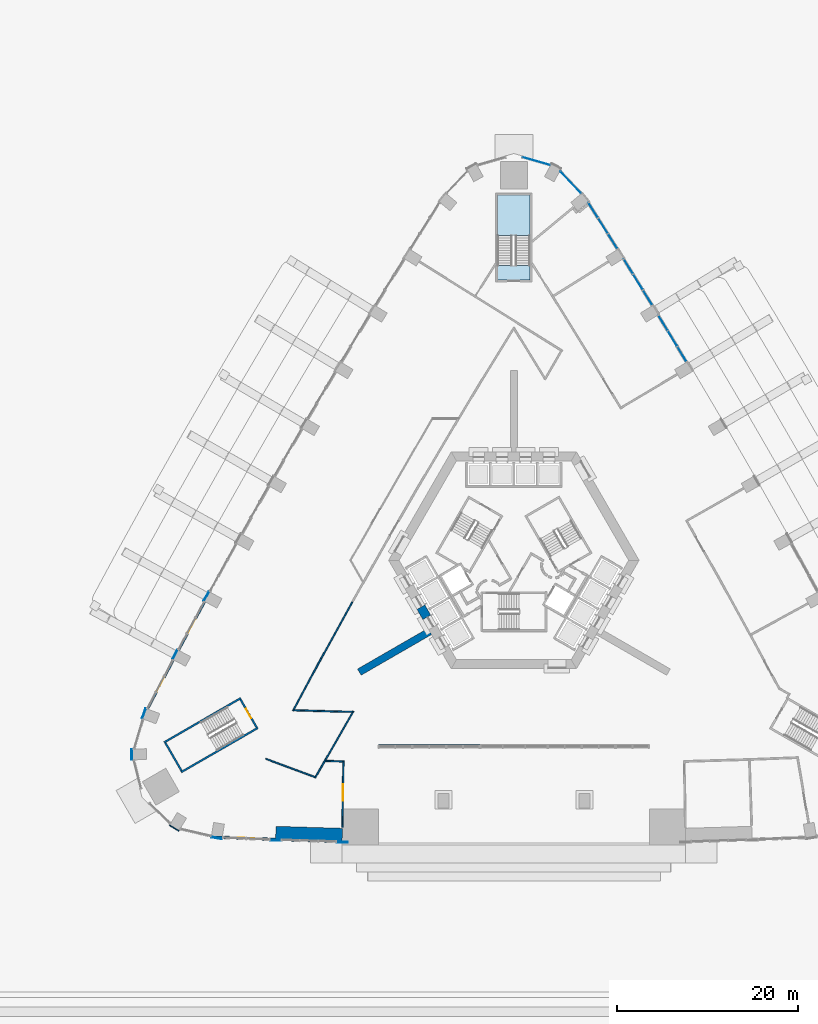
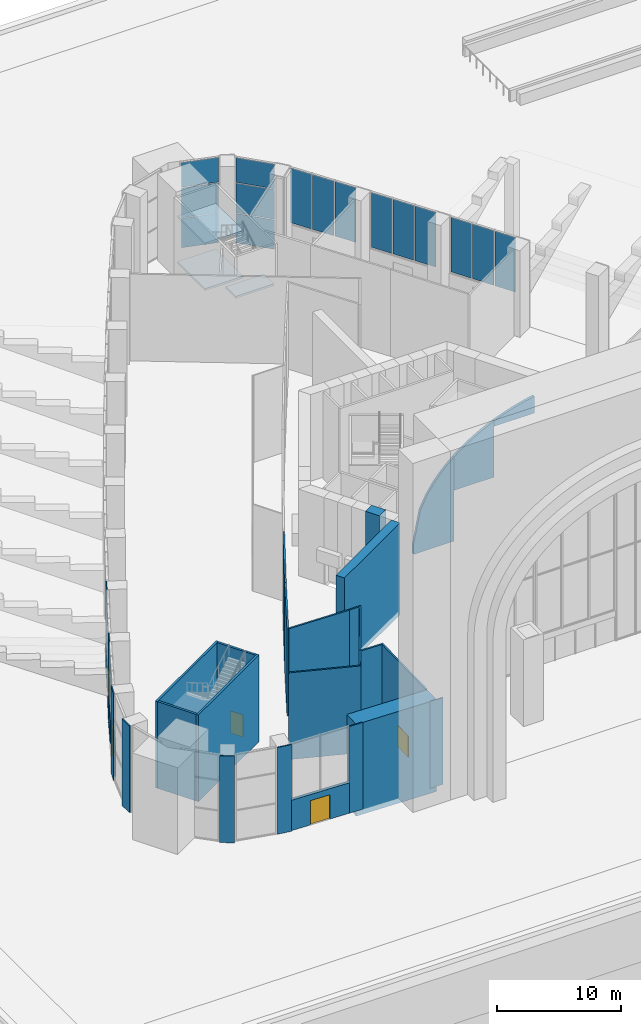
# One storey, part 14 of 36: 30 walls, 15 plates, 5 doors, 3 slabs, 5 openings, 6 elements without a shape of their own.
"""IFC4 building model written with IfcOpenShell, lengths in metres."""

from ifc_helpers import new_model, si_unit, direction, frame, frame_2d, origin, origin_2d, place, context, subcontext, project, spatial, polyline, rectangle, outline, extrude, material, layer, layer_set, type_object, element, fill, aggregate, save


model = new_model("IFC4")

# Units and contexts
model_context = context("Model", 3, precision=1e-05, world=origin(), true_north=direction((0.0, 1.0)))
body_context = subcontext(model_context, "Body", "Model", "MODEL_VIEW")
ifc_project = project(units=[si_unit("LENGTHUNIT", "METRE"), si_unit("AREAUNIT", "SQUARE_METRE"), si_unit("VOLUMEUNIT", "CUBIC_METRE"), si_unit("PLANEANGLEUNIT", "RADIAN"), si_unit("MASSUNIT", "GRAM", prefix="KILO")], contexts=[model_context])

# Site, building, storey
site_placement = place(None, origin())
site = spatial("IfcSite", under=ifc_project, at=site_placement, CompositionType="ELEMENT")
building_placement = place(site_placement, origin())
building = spatial("IfcBuilding", under=site, at=building_placement, Name="Entoto Arch Interchange Tower", CompositionType="ELEMENT")
storey_placement = place(building_placement, origin())
storey = spatial("IfcBuildingStorey", under=building, at=storey_placement, Name="L00", CompositionType="ELEMENT", Elevation=0.0)

# Stair, slabs
ifc_material_1 = material(Name="Concrete C40/50", Category="concrete")
stair_type = type_object("IfcStairType", Name="PODIUM EXIT STAIR RC 1600", PredefinedType="HALF_TURN_STAIR", material=ifc_material_1)
stair_placement = place(storey_placement, origin())
stair = element("IfcStair", 1, at=stair_placement, inside=storey, type_object=stair_type, Name="L00 Podium exit stair north", PredefinedType="HALF_TURN_STAIR")
ifc_layer_1 = layer(ifc_material_1, 0.199951171875)
ifc_layer_set_1 = layer_set([ifc_layer_1], Name="Concrete C40/50")
slab_type = type_object("IfcSlabType", Name="EXIT STAIR LANDING RC 200", PredefinedType="LANDING", material=ifc_layer_set_1)
slab_1_placement = place(storey_placement, frame((0.0, 0.0, 2.050048828125)))
slab_1 = element("IfcSlab", 2, at=slab_1_placement, type_object=slab_type, Name="PST-N landing 1", PredefinedType="LANDING", context=body_context, shape_type="SweptSolid", body=[
    extrude(outline(polyline([(1.800048828125, 38.4599609375), (1.800048828125, 42.89990234375), (-1.800048828125, 42.89990234375), (-1.800048828125, 38.4599609375), (1.800048828125, 38.4599609375)])), origin(), (0.0, 0.0, 1.0), 0.199951171875),
])
slab_2_placement = place(storey_placement, frame((0.0, 0.0, 4.300048828125)))
slab_2 = element("IfcSlab", 3, at=slab_2_placement, type_object=slab_type, Name="PST-N landing 2", PredefinedType="LANDING", context=body_context, shape_type="SweptSolid", body=[
    extrude(outline(polyline([(1.800048828125, 33.5), (1.800048828125, 35.10009765625), (-1.800048828125, 35.10009765625), (-1.800048828125, 33.5), (1.800048828125, 33.5)])), origin(), (0.0, 0.0, 1.0), 0.199951171875),
])
slab_3_placement = place(storey_placement, frame((0.0, 0.0, 6.550048828125)))
slab_3 = element("IfcSlab", 4, at=slab_3_placement, type_object=slab_type, Name="PST-N landing 3", PredefinedType="LANDING", context=body_context, shape_type="SweptSolid", body=[
    extrude(outline(polyline([(1.800048828125, 38.4599609375), (1.800048828125, 42.89990234375), (-1.800048828125, 42.89990234375), (-1.800048828125, 38.4599609375), (1.800048828125, 38.4599609375)])), origin(), (0.0, 0.0, 1.0), 0.199951171875),
])
aggregate(stair, [slab_1, slab_2, slab_3])

# Curtain wall, plates
ifc_material_2 = material(Name="Aluminium, anodised", Category="aluminium")
curtain_wall_type = type_object("IfcCurtainWallType", Name="CURTAIN WALL GATE HALL", PredefinedType="NOTDEFINED", material=ifc_material_2)
curtain_wall_1_placement = place(storey_placement, origin())
curtain_wall_1 = element("IfcCurtainWall", 5, at=curtain_wall_1_placement, inside=storey, type_object=curtain_wall_type, Name="Gate Hall glazing NE-07 L00", PredefinedType="NOTDEFINED")
ifc_material_3 = material(Name="Clear glass, low-e double glazed", Category="glass")
ifc_layer_2 = layer(ifc_material_3, 0.030029296875)
ifc_layer_set_2 = layer_set([ifc_layer_2], Name="Clear glass, low-e double glazed")
plate_type = type_object("IfcPlateType", Name="GLAZING PANEL GATE HALL 30", PredefinedType="CURTAIN_PANEL", material=ifc_layer_set_2)
plate_1_placement = place(storey_placement, frame((18.59716796875, 25.314453125, 3.080078125), z_axis=(0.0, 0.0, 1.0), x_axis=(-0.516681494958, 0.856177687614, 0.0)))
plate_1 = element("IfcPlate", 6, at=plate_1_placement, type_object=plate_type, Name="CWG panel 1.1", PredefinedType="CURTAIN_PANEL", context=body_context, shape_type="SweptSolid", body=[
    extrude(rectangle(XDim=1.889404296875, YDim=0.030029296875, at=origin_2d()), origin(), (0.0, 0.0, 1.0), 5.389892578125),
])
plate_2_placement = place(storey_placement, frame((17.556396484375, 27.0390625, 3.080078125), z_axis=(0.0, 0.0, 1.0), x_axis=(-0.516681494958, 0.856177687614, 0.0)))
plate_2 = element("IfcPlate", 7, at=plate_2_placement, type_object=plate_type, Name="CWG panel 2.1", PredefinedType="CURTAIN_PANEL", context=body_context, shape_type="SweptSolid", body=[
    extrude(rectangle(XDim=1.939208984375, YDim=0.030029296875, at=origin_2d()), origin(), (0.0, 0.0, 1.0), 5.389892578125),
])
plate_3_placement = place(storey_placement, frame((16.515869140625, 28.763671875, 3.080078125), z_axis=(0.0, 0.0, 1.0), x_axis=(-0.516681494958, 0.856177687614, 0.0)))
plate_3 = element("IfcPlate", 8, at=plate_3_placement, type_object=plate_type, Name="CWG panel 3.1", PredefinedType="CURTAIN_PANEL", context=body_context, shape_type="SweptSolid", body=[
    extrude(rectangle(XDim=1.889404296875, YDim=0.030029296875, at=origin_2d()), origin(), (0.0, 0.0, 1.0), 5.389892578125),
])
aggregate(curtain_wall_1, [plate_1, plate_2, plate_3])

curtain_wall_2_placement = place(storey_placement, origin())
curtain_wall_2 = element("IfcCurtainWall", 9, at=curtain_wall_2_placement, inside=storey, type_object=curtain_wall_type, Name="Gate Hall glazing NE-08 L00", PredefinedType="NOTDEFINED")
plate_4_placement = place(storey_placement, frame((14.802490234375, 31.57421875, 3.080078125), z_axis=(0.0, 0.0, 1.0), x_axis=(-0.525009091339, 0.851096618494, 0.0)))
plate_4 = element("IfcPlate", 10, at=plate_4_placement, type_object=plate_type, Name="CWG panel 1.1", PredefinedType="CURTAIN_PANEL", context=body_context, shape_type="SweptSolid", body=[
    extrude(rectangle(XDim=1.889404296875, YDim=0.030029296875, at=origin_2d()), origin(), (0.0, 0.0, 1.0), 5.389892578125),
])
plate_5_placement = place(storey_placement, frame((13.7451171875, 33.28857421875, 3.080078125), z_axis=(0.0, 0.0, 1.0), x_axis=(-0.525009091339, 0.851096618494, 0.0)))
plate_5 = element("IfcPlate", 11, at=plate_5_placement, type_object=plate_type, Name="CWG panel 2.1", PredefinedType="CURTAIN_PANEL", context=body_context, shape_type="SweptSolid", body=[
    extrude(rectangle(XDim=1.939208984375, YDim=0.030029296875, at=origin_2d()), origin(), (0.0, 0.0, 1.0), 5.389892578125),
])
plate_6_placement = place(storey_placement, frame((12.6875, 35.0029296875, 3.080078125), z_axis=(0.0, 0.0, 1.0), x_axis=(-0.525009091339, 0.851096618494, 0.0)))
plate_6 = element("IfcPlate", 12, at=plate_6_placement, type_object=plate_type, Name="CWG panel 3.1", PredefinedType="CURTAIN_PANEL", context=body_context, shape_type="SweptSolid", body=[
    extrude(rectangle(XDim=1.889404296875, YDim=0.030029296875, at=origin_2d()), origin(), (0.0, 0.0, 1.0), 5.389892578125),
])
aggregate(curtain_wall_2, [plate_4, plate_5, plate_6])

curtain_wall_3_placement = place(storey_placement, origin())
curtain_wall_3 = element("IfcCurtainWall", 13, at=curtain_wall_3_placement, inside=storey, type_object=curtain_wall_type, Name="Gate Hall glazing NE-09 L00", PredefinedType="NOTDEFINED")
plate_7_placement = place(storey_placement, frame((10.943115234375, 37.802001953125, 3.080078125), z_axis=(0.0, 0.0, 1.0), x_axis=(-0.533247908708, 0.845959022564, 0.0)))
plate_7 = element("IfcPlate", 14, at=plate_7_placement, type_object=plate_type, Name="CWG panel 1.1", PredefinedType="CURTAIN_PANEL", context=body_context, shape_type="SweptSolid", body=[
    extrude(rectangle(XDim=1.904052734375, YDim=0.030029296875, at=origin_2d()), origin(), (0.0, 0.0, 1.0), 5.389892578125),
])
plate_8_placement = place(storey_placement, frame((9.861083984375, 39.5185546875, 3.080078125), z_axis=(0.0, 0.0, 1.0), x_axis=(-0.533247908708, 0.845959022564, 0.0)))
plate_8 = element("IfcPlate", 15, at=plate_8_placement, type_object=plate_type, Name="CWG panel 2.1", PredefinedType="CURTAIN_PANEL", context=body_context, shape_type="SweptSolid", body=[
    extrude(rectangle(XDim=1.9541015625, YDim=0.030029296875, at=origin_2d()), origin(), (0.0, 0.0, 1.0), 5.389892578125),
])
plate_9_placement = place(storey_placement, frame((8.779052734375, 41.235107421875, 3.080078125), z_axis=(0.0, 0.0, 1.0), x_axis=(-0.533247908708, 0.845959022564, 0.0)))
plate_9 = element("IfcPlate", 16, at=plate_9_placement, type_object=plate_type, Name="CWG panel 3.1", PredefinedType="CURTAIN_PANEL", context=body_context, shape_type="SweptSolid", body=[
    extrude(rectangle(XDim=1.904052734375, YDim=0.030029296875, at=origin_2d()), origin(), (0.0, 0.0, 1.0), 5.389892578125),
])
aggregate(curtain_wall_3, [plate_7, plate_8, plate_9])

curtain_wall_4_placement = place(storey_placement, origin())
curtain_wall_4 = element("IfcCurtainWall", 17, at=curtain_wall_4_placement, inside=storey, type_object=curtain_wall_type, Name="Gate Hall glazing N-01 L00", PredefinedType="NOTDEFINED")
plate_10_placement = place(storey_placement, frame((6.291015625, 44.3349609375, 0.080078125), z_axis=(0.0, 0.0, 1.0), x_axis=(-0.686928321201, 0.726725176069, 0.0)))
plate_10 = element("IfcPlate", 18, at=plate_10_placement, type_object=plate_type, Name="CWG panel 1.1", PredefinedType="CURTAIN_PANEL", context=body_context, shape_type="SweptSolid", body=[
    extrude(rectangle(XDim=3.267578125, YDim=0.030029296875, at=origin_2d()), origin(), (0.0, 0.0, 1.0), 2.8798828125),
])
plate_11_placement = place(storey_placement, frame((6.291015625, 44.3349609375, 3.0400390625), z_axis=(0.0, 0.0, 1.0), x_axis=(-0.686928321201, 0.726725176069, 0.0)))
plate_11 = element("IfcPlate", 19, at=plate_11_placement, type_object=plate_type, Name="CWG panel 1.2", PredefinedType="CURTAIN_PANEL", context=body_context, shape_type="SweptSolid", body=[
    extrude(rectangle(XDim=3.267578125, YDim=0.030029296875, at=origin_2d()), origin(), (0.0, 0.0, 1.0), 2.919921875),
])
plate_12_placement = place(storey_placement, frame((6.291015625, 44.3349609375, 6.0400390625), z_axis=(0.0, 0.0, 1.0), x_axis=(-0.686928321201, 0.726725176069, 0.0)))
plate_12 = element("IfcPlate", 20, at=plate_12_placement, type_object=plate_type, Name="CWG panel 1.3", PredefinedType="CURTAIN_PANEL", context=body_context, shape_type="SweptSolid", body=[
    extrude(rectangle(XDim=3.267578125, YDim=0.030029296875, at=origin_2d()), origin(), (0.0, 0.0, 1.0), 2.429931640625),
])
aggregate(curtain_wall_4, [plate_10, plate_11, plate_12])

curtain_wall_5_placement = place(storey_placement, origin())
curtain_wall_5 = element("IfcCurtainWall", 21, at=curtain_wall_5_placement, inside=storey, type_object=curtain_wall_type, Name="Gate Hall glazing N-02 L00", PredefinedType="NOTDEFINED")
plate_13_placement = place(storey_placement, frame((2.486572265625, 46.676025390625, 0.080078125), z_axis=(0.0, 0.0, 1.0), x_axis=(-0.961934452437, 0.273280275934, 0.0)))
plate_13 = element("IfcPlate", 22, at=plate_13_placement, type_object=plate_type, Name="CWG panel 1.1", PredefinedType="CURTAIN_PANEL", context=body_context, shape_type="SweptSolid", body=[
    extrude(rectangle(XDim=3.1005859375, YDim=0.030029296875, at=origin_2d()), origin(), (0.0, 0.0, 1.0), 2.8798828125),
])
plate_14_placement = place(storey_placement, frame((2.486572265625, 46.676025390625, 3.0400390625), z_axis=(0.0, 0.0, 1.0), x_axis=(-0.961934452437, 0.273280275934, 0.0)))
plate_14 = element("IfcPlate", 23, at=plate_14_placement, type_object=plate_type, Name="CWG panel 1.2", PredefinedType="CURTAIN_PANEL", context=body_context, shape_type="SweptSolid", body=[
    extrude(rectangle(XDim=3.1005859375, YDim=0.030029296875, at=origin_2d()), origin(), (0.0, 0.0, 1.0), 2.919921875),
])
plate_15_placement = place(storey_placement, frame((2.486572265625, 46.676025390625, 6.0400390625), z_axis=(0.0, 0.0, 1.0), x_axis=(-0.961934452437, 0.273280275934, 0.0)))
plate_15 = element("IfcPlate", 24, at=plate_15_placement, type_object=plate_type, Name="CWG panel 1.3", PredefinedType="CURTAIN_PANEL", context=body_context, shape_type="SweptSolid", body=[
    extrude(rectangle(XDim=3.1005859375, YDim=0.030029296875, at=origin_2d()), origin(), (0.0, 0.0, 1.0), 2.429931640625),
])
aggregate(curtain_wall_5, [plate_13, plate_14, plate_15])

# Walls
ifc_material_4 = material(Name="Concrete C60/75", Category="concrete")
ifc_layer_3 = layer(ifc_material_4, 1.60009765625)
ifc_layer_set_3 = layer_set([ifc_layer_3], Name="Concrete C60/75")
wall_type_1 = type_object("IfcWallType", Name="Arch leg wall 1600 C60/75", PredefinedType="SHEAR", material=ifc_layer_set_3)
wall_1_placement = place(storey_placement, frame((0.0, 0.0, -0.5)))
element("IfcWall", 25, at=wall_1_placement, inside=storey, type_object=wall_type_1, Name="Arch leg W L00", PredefinedType="SHEAR", context=body_context, shape_type="SweptSolid", body=[
    extrude(outline(polyline([(-26.376953125, -28.5400390625), (-19.0, -28.761962890625), (-18.97607421875, -27.162109375), (-26.321044921875, -26.94091796875), (-26.376953125, -28.5400390625)])), origin(), (0.0, 0.0, 1.0), 9.050048828125),
])
ifc_layer_4 = layer(ifc_material_4, 0.800048828125)
ifc_layer_set_4 = layer_set([ifc_layer_4], Name="Concrete C60/75")
wall_type_2 = type_object("IfcWallType", Name="Buttress wall 800 C60/75", PredefinedType="SHEAR", material=ifc_layer_set_4)
wall_2_placement = place(storey_placement, frame((-9.31005859375, -5.375, -0.5), z_axis=(0.0, 0.0, 1.0), x_axis=(-0.866017533419, -0.500013631625, 0.0)))
element("IfcWall", 26, at=wall_2_placement, inside=storey, type_object=wall_type_2, Name="Buttress wall SW L00", PredefinedType="SHEAR", context=body_context, shape_type="SweptSolid", body=[
    extrude(rectangle(XDim=8.999755859375, YDim=0.800048828125, at=frame_2d((4.5, 0.0))), origin(), (0.0, 0.0, 1.0), 9.050048828125),
])
ifc_layer_5 = layer(ifc_material_4, 1.0)
ifc_layer_set_5 = layer_set([ifc_layer_5], Name="Concrete C60/75")
wall_type_3 = type_object("IfcWallType", Name="Core wall 1000 C60/75", PredefinedType="SHEAR", material=ifc_layer_set_5)
wall_3_placement = place(storey_placement, frame((0.0, 0.0, -0.5)))
element("IfcWall", 27, at=wall_3_placement, inside=storey, type_object=wall_type_3, Name="Core wall SW L00", PredefinedType="SHEAR", context=body_context, shape_type="SweptSolid", body=[
    extrude(outline(polyline([(-10.06689453125, -4.06298828125), (-9.200927734375, -3.56298828125), (-9.85107421875, -2.43701171875), (-10.717041015625, -2.93701171875), (-10.06689453125, -4.06298828125)])), origin(), (0.0, 0.0, 1.0), 9.050048828125),
])
ifc_material_5 = material(Name="Gypsum board partition on steel studs", Category="steel")
ifc_layer_6 = layer(ifc_material_5, 0.14990234375)
ifc_layer_set_6 = layer_set([ifc_layer_6], Name="Gypsum board partition on steel studs")
wall_type_4 = type_object("IfcWallType", Name="PARTITION 150", PredefinedType="PARTITIONING", material=ifc_layer_set_6)
wall_4_placement = place(storey_placement, frame((-20.881103515625, -19.635009765625, 0.0), z_axis=(0.0, 0.0, 1.0), x_axis=(-0.50001262068, -0.866018117109, 0.0)))
element("IfcWall", 28, at=wall_4_placement, inside=storey, type_object=wall_type_4, Name="wall:L00:p035", PredefinedType="PARTITIONING", context=body_context, shape_type="SweptSolid", body=[
    extrude(rectangle(XDim=2.087890625, YDim=0.14990234375, at=frame_2d((1.0439453125, 0.0))), origin(), (0.0, 0.0, 1.0), 8.550048828125),
])
wall_5_placement = place(storey_placement, frame((-21.89208984375, -21.533935546875, 0.0), z_axis=(0.0, 0.0, 1.0), x_axis=(-0.937429874282, 0.348174138619, 0.0)))
element("IfcWall", 29, at=wall_5_placement, inside=storey, type_object=wall_type_4, Name="wall:L00:p036", PredefinedType="PARTITIONING", context=body_context, shape_type="SweptSolid", body=[
    extrude(rectangle(XDim=5.936279296875, YDim=0.14990234375, at=frame_2d((2.96826171875, 0.0))), origin(), (0.0, 0.0, 1.0), 8.550048828125),
])
wall_6_placement = place(storey_placement, frame((-17.875, -2.116943359375, 0.0), z_axis=(0.0, 0.0, 1.0), x_axis=(-0.483160940006, -0.875531556286, 0.0)))
element("IfcWall", 30, at=wall_6_placement, inside=storey, type_object=wall_type_4, Name="wall:L00:p042", PredefinedType="PARTITIONING", context=body_context, shape_type="SweptSolid", body=[
    extrude(rectangle(XDim=7.1796875, YDim=0.14990234375, at=frame_2d((3.58984375, 0.0))), origin(), (0.0, 0.0, 1.0), 8.550048828125),
])
wall_7_placement = place(storey_placement, frame((-21.343994140625, -8.403076171875, 0.0), z_axis=(0.0, 0.0, 1.0), x_axis=(-0.474656303591, -0.880171229626, 0.0)))
element("IfcWall", 31, at=wall_7_placement, inside=storey, type_object=wall_type_4, Name="wall:L00:p043", PredefinedType="PARTITIONING", context=body_context, shape_type="SweptSolid", body=[
    extrude(rectangle(XDim=6.53955078125, YDim=0.14990234375, at=frame_2d((3.269775390625, 0.0))), origin(), (0.0, 0.0, 1.0), 8.550048828125),
])
wall_8_placement = place(storey_placement, frame((-24.3369140625, -14.094970703125, 0.0), z_axis=(0.0, 0.0, 1.0), x_axis=(0.999548445021, -0.030048395218, 0.0)))
element("IfcWall", 32, at=wall_8_placement, inside=storey, type_object=wall_type_4, Name="wall:L00:p044", PredefinedType="PARTITIONING", context=body_context, shape_type="SweptSolid", body=[
    extrude(rectangle(XDim=5.557373046875, YDim=0.14990234375, at=frame_2d((2.77880859375, 0.0))), origin(), (0.0, 0.0, 1.0), 8.550048828125),
])
wall_9_placement = place(storey_placement, frame((-18.781982421875, -14.261962890625, 0.0), z_axis=(0.0, 0.0, 1.0), x_axis=(1.0, 0.0, 0.0)))
element("IfcWall", 33, at=wall_9_placement, inside=storey, type_object=wall_type_4, Name="wall:L00:p045", PredefinedType="PARTITIONING", context=body_context, shape_type="SweptSolid", body=[
    extrude(rectangle(XDim=0.926025390625, YDim=0.14990234375, at=frame_2d((0.462890625, 0.0))), origin(), (0.0, 0.0, 1.0), 8.550048828125),
])
wall_10_placement = place(storey_placement, frame((-17.743896484375, -14.197021484375, 0.0), z_axis=(0.0, 0.0, 1.0), x_axis=(-0.499711231596, -0.866192060121, 0.0)))
element("IfcWall", 34, at=wall_10_placement, inside=storey, type_object=wall_type_4, Name="wall:L00:p046", PredefinedType="PARTITIONING", context=body_context, shape_type="SweptSolid", body=[
    extrude(rectangle(XDim=6.278076171875, YDim=0.14990234375, at=frame_2d((3.13916015625, 0.0))), origin(), (0.0, 0.0, 1.0), 8.550048828125),
])
wall_11_placement = place(storey_placement, frame((-20.843994140625, -19.701904296875, 0.0), z_axis=(0.0, 0.0, 1.0), x_axis=(0.999534689479, -0.030502533158, 0.0)))
element("IfcWall", 35, at=wall_11_placement, inside=storey, type_object=wall_type_4, Name="wall:L00:p047", PredefinedType="PARTITIONING", context=body_context, shape_type="SweptSolid", body=[
    extrude(rectangle(XDim=1.905029296875, YDim=0.14990234375, at=frame_2d((0.95263671875, 0.0))), origin(), (0.0, 0.0, 1.0), 8.550048828125),
])

# Wall, opening, door
wall_12_placement = place(storey_placement, frame((-18.864013671875, -19.68701171875, 0.0), z_axis=(0.0, 0.0, 1.0), x_axis=(-0.015101510801, -0.999885965684, 0.0)))
wall_12 = element("IfcWall", 36, at=wall_12_placement, inside=storey, type_object=wall_type_4, Name="wall:L00:p048", PredefinedType="PARTITIONING", context=body_context, shape_type="SweptSolid", body=[
    extrude(rectangle(XDim=7.355712890625, YDim=0.14990234375, at=frame_2d((3.677734375, 0.0))), origin(), (0.0, 0.0, 1.0), 8.550048828125),
])
opening_1_placement = place(wall_12_placement, frame((2.60009765625, 0.0, 0.0)))
opening_1 = element("IfcOpeningElement", 37, at=opening_1_placement, cuts=wall_12, Name="Opening L00-D01", PredefinedType="OPENING", context=body_context, shape_type="SweptSolid", body=[
    extrude(rectangle(XDim=1.800048828125, YDim=2.10009765625, at=frame_2d((0.89990234375, 1.050048828125))), frame((0.0, 0.0849609375, 0.0), z_axis=(0.0, -1.0, 0.0), x_axis=(1.0, 0.0, 0.0)), (0.0, 0.0, 1.0), 0.169921875),
])
ifc_material_6 = material(Name="Timber door leaf in Steel S235 frame", Category="steel")
door_type_1 = type_object("IfcDoorType", Name="DOOR DD-18 1800x2100", OperationType="DOUBLE_DOOR_SINGLE_SWING", PredefinedType="DOOR", material=ifc_material_6)
door_1_placement = place(opening_1_placement, origin())
door_1 = element("IfcDoor", 38, at=door_1_placement, inside=storey, type_object=door_type_1, Name="door:L00:01", OperationType="DOUBLE_DOOR_SINGLE_SWING", OverallHeight=2.10009765625, OverallWidth=1.800048828125, PredefinedType="DOOR", context=body_context, shape_type="SweptSolid", body=[
    extrude(rectangle(XDim=1.800048828125, YDim=2.10009765625, at=frame_2d((0.89990234375, 1.050048828125))), frame((0.0, 0.02490234375, 0.0), z_axis=(0.0, -1.0, 0.0), x_axis=(1.0, 0.0, 0.0)), (0.0, 0.0, 1.0), 0.050048828125),
])
fill(opening_1, door_1)

# Walls
ifc_layer_7 = layer(ifc_material_1, 0.199951171875)
ifc_layer_set_7 = layer_set([ifc_layer_7], Name="Concrete C40/50")
wall_type_5 = type_object("IfcWallType", Name="STAIR ENCLOSURE WALL 200", PredefinedType="STANDARD", material=ifc_layer_set_7)
for number, where, z_axis, x_axis, name in (
    (39, (-30.221923828125, -12.7548828125, 0.0), (0.0, 0.0, 1.0), (-0.866019227021, -0.500010698315, 0.0), "Stair wall PST-SW left"),
    (40, (-28.322021484375, -16.044921875, 0.0), (0.0, 0.0, 1.0), (-0.866019227021, -0.500010698315, 0.0), "Stair wall PST-SW right"),
):
    element("IfcWall", number, at=place(storey_placement, frame(where, z_axis=z_axis, x_axis=x_axis)), inside=storey, type_object=wall_type_5, Name=name, PredefinedType="STANDARD", context=body_context, shape_type="SweptSolid", body=[
        extrude(rectangle(XDim=9.800048828125, YDim=0.199951171875, at=frame_2d((4.89990234375, 0.0))), origin(), (0.0, 0.0, 1.0), 8.550048828125),
    ])

# Wall, opening, door
wall_13_placement = place(storey_placement, frame((-30.258056640625, -12.89111328125, 0.0), z_axis=(0.0, 0.0, 1.0), x_axis=(0.499982693035, -0.866035395735, 0.0)))
wall_13 = element("IfcWall", 41, at=wall_13_placement, inside=storey, type_object=wall_type_5, Name="Stair wall PST-SW near", PredefinedType="STANDARD", context=body_context, shape_type="SweptSolid", body=[
    extrude(rectangle(XDim=3.600341796875, YDim=0.199951171875, at=frame_2d((1.80029296875, 0.0))), origin(), (0.0, 0.0, 1.0), 8.550048828125),
])
opening_2_placement = place(wall_13_placement, frame((1.199951171875, 0.0, 0.0)))
opening_2 = element("IfcOpeningElement", 42, at=opening_2_placement, cuts=wall_13, Name="Opening SD-PST-SW-L00", PredefinedType="OPENING", context=body_context, shape_type="SweptSolid", body=[
    extrude(rectangle(XDim=1.199951171875, YDim=2.199951171875, at=frame_2d((0.60009765625, 1.10009765625))), frame((0.0, 0.10986328125, 0.0), z_axis=(0.0, -1.0, 0.0), x_axis=(1.0, 0.0, 0.0)), (0.0, 0.0, 1.0), 0.219970703125),
])
ifc_material_7 = material(Name="Steel S235", Category="steel")
door_type_2 = type_object("IfcDoorType", Name="STAIR DOOR SD2 1200x2200", OperationType="SINGLE_SWING_LEFT", PredefinedType="DOOR", material=ifc_material_7)
door_2_placement = place(opening_2_placement, origin())
door_2 = element("IfcDoor", 43, at=door_2_placement, inside=storey, type_object=door_type_2, Name="Stair door PST-SW L00", OperationType="SINGLE_SWING_LEFT", OverallHeight=2.199951171875, OverallWidth=1.199951171875, PredefinedType="DOOR", context=body_context, shape_type="SweptSolid", body=[
    extrude(rectangle(XDim=1.199951171875, YDim=2.199951171875, at=frame_2d((0.60009765625, 1.10009765625))), frame((0.0, 0.02490234375, 0.0), z_axis=(0.0, -1.0, 0.0), x_axis=(1.0, 0.0, 0.0)), (0.0, 0.0, 1.0), 0.050048828125),
])
fill(opening_2, door_2)

# Wall
wall_14_placement = place(storey_placement, frame((-38.572021484375, -17.69091796875, 0.0), z_axis=(0.0, 0.0, 1.0), x_axis=(0.49995333141, -0.866052346231, 0.0)))
element("IfcWall", 44, at=wall_14_placement, inside=storey, type_object=wall_type_5, Name="Stair wall PST-SW far", PredefinedType="STANDARD", context=body_context, shape_type="SweptSolid", body=[
    extrude(rectangle(XDim=3.600341796875, YDim=0.199951171875, at=frame_2d((1.80029296875, 0.0))), origin(), (0.0, 0.0, 1.0), 8.550048828125),
])

# Wall, opening, door
ifc_material_8 = material(Name="Welded tuff (ignimbrite) cladding, warm buff", Category="masonry")
ifc_layer_8 = layer(ifc_material_8, 0.300048828125)
ifc_layer_set_8 = layer_set([ifc_layer_8], Name="Welded tuff (ignimbrite) cladding, warm buff")
wall_type_6 = type_object("IfcWallType", Name="STONE INFILL WALL 300", PredefinedType="STANDARD", material=ifc_layer_set_8)
wall_15_placement = place(storey_placement, frame((-26.3701171875, -28.389892578125, 0.0), z_axis=(0.0, 0.0, 1.0), x_axis=(-0.999234642094, 0.039116876654, 0.0)))
wall_15 = element("IfcWall", 45, at=wall_15_placement, inside=storey, type_object=wall_type_6, Name="Entrance wall S-01 L00", PredefinedType="STANDARD", context=body_context, shape_type="SweptSolid", body=[
    extrude(rectangle(XDim=6.541015625, YDim=0.300048828125, at=frame_2d((3.2705078125, 0.0))), origin(), (0.0, 0.0, 1.0), 3.0),
])
opening_3_placement = place(wall_15_placement, frame((2.37109375, 0.0, 0.0)))
opening_3 = element("IfcOpeningElement", 46, at=opening_3_placement, cuts=wall_15, Name="Opening DX-S-01", PredefinedType="OPENING", context=body_context, shape_type="SweptSolid", body=[
    extrude(rectangle(XDim=1.800048828125, YDim=2.39990234375, at=frame_2d((0.89990234375, 1.199951171875))), frame((0.0, 0.16015625, 0.0), z_axis=(0.0, -1.0, 0.0), x_axis=(1.0, 0.0, 0.0)), (0.0, 0.0, 1.0), 0.320068359375),
])
ifc_material_9 = material(Name="Aluminium and clear glass, anodised", Category="aluminium")
door_type_3 = type_object("IfcDoorType", Name="EXIT DOOR DX 1800x2400", OperationType="DOUBLE_DOOR_SINGLE_SWING", PredefinedType="DOOR", material=ifc_material_9)
door_3_placement = place(opening_3_placement, origin())
door_3 = element("IfcDoor", 47, at=door_3_placement, inside=storey, type_object=door_type_3, Name="Exit door S-01", OperationType="DOUBLE_DOOR_SINGLE_SWING", OverallHeight=2.39990234375, OverallWidth=1.800048828125, PredefinedType="DOOR", context=body_context, shape_type="SweptSolid", body=[
    extrude(rectangle(XDim=1.800048828125, YDim=2.39990234375, at=frame_2d((0.89990234375, 1.199951171875))), frame((0.0, 0.02490234375, 0.0), z_axis=(0.0, -1.0, 0.0), x_axis=(1.0, 0.0, 0.0)), (0.0, 0.0, 1.0), 0.050048828125),
])
fill(opening_3, door_3)

wall_16_placement = place(storey_placement, frame((-37.416015625, -7.97509765625, 0.0), z_axis=(0.0, 0.0, 1.0), x_axis=(0.474642442052, 0.880178704698, 0.0)))
wall_16 = element("IfcWall", 48, at=wall_16_placement, inside=storey, type_object=wall_type_6, Name="Entrance wall NW-08 L00", PredefinedType="STANDARD", context=body_context, shape_type="SweptSolid", body=[
    extrude(rectangle(XDim=7.323486328125, YDim=0.300048828125, at=frame_2d((3.66162109375, 0.0))), origin(), (0.0, 0.0, 1.0), 3.0),
])
opening_4_placement = place(wall_16_placement, frame((2.761962890625, 0.0, 0.0)))
opening_4 = element("IfcOpeningElement", 49, at=opening_4_placement, cuts=wall_16, Name="Opening DX-NW-08", PredefinedType="OPENING", context=body_context, shape_type="SweptSolid", body=[
    extrude(rectangle(XDim=1.800048828125, YDim=2.39990234375, at=frame_2d((0.89990234375, 1.199951171875))), frame((0.0, 0.16015625, 0.0), z_axis=(0.0, -1.0, 0.0), x_axis=(1.0, 0.0, 0.0)), (0.0, 0.0, 1.0), 0.320068359375),
])
door_4_placement = place(opening_4_placement, origin())
door_4 = element("IfcDoor", 50, at=door_4_placement, inside=storey, type_object=door_type_3, Name="Exit door NW-08", OperationType="DOUBLE_DOOR_SINGLE_SWING", OverallHeight=2.39990234375, OverallWidth=1.800048828125, PredefinedType="DOOR", context=body_context, shape_type="SweptSolid", body=[
    extrude(rectangle(XDim=1.800048828125, YDim=2.39990234375, at=frame_2d((0.89990234375, 1.199951171875))), frame((0.0, 0.02490234375, 0.0), z_axis=(0.0, -1.0, 0.0), x_axis=(1.0, 0.0, 0.0)), (0.0, 0.0, 1.0), 0.050048828125),
])
fill(opening_4, door_4)

wall_17_placement = place(storey_placement, frame((-40.85888671875, -14.509033203125, 0.0), z_axis=(0.0, 0.0, 1.0), x_axis=(0.466092300341, 0.88473610052, 0.0)))
wall_17 = element("IfcWall", 51, at=wall_17_placement, inside=storey, type_object=wall_type_6, Name="Entrance wall NW-09 L00", PredefinedType="STANDARD", context=body_context, shape_type="SweptSolid", body=[
    extrude(rectangle(XDim=7.388671875, YDim=0.300048828125, at=frame_2d((3.6943359375, 0.0))), origin(), (0.0, 0.0, 1.0), 3.0),
])
opening_5_placement = place(wall_17_placement, frame((2.7939453125, 0.0, 0.0)))
opening_5 = element("IfcOpeningElement", 52, at=opening_5_placement, cuts=wall_17, Name="Opening DX-NW-09", PredefinedType="OPENING", context=body_context, shape_type="SweptSolid", body=[
    extrude(rectangle(XDim=1.800048828125, YDim=2.39990234375, at=frame_2d((0.89990234375, 1.199951171875))), frame((0.0, 0.16015625, 0.0), z_axis=(0.0, -1.0, 0.0), x_axis=(1.0, 0.0, 0.0)), (0.0, 0.0, 1.0), 0.320068359375),
])
door_5_placement = place(opening_5_placement, origin())
door_5 = element("IfcDoor", 53, at=door_5_placement, inside=storey, type_object=door_type_3, Name="Exit door NW-09", OperationType="DOUBLE_DOOR_SINGLE_SWING", OverallHeight=2.39990234375, OverallWidth=1.800048828125, PredefinedType="DOOR", context=body_context, shape_type="SweptSolid", body=[
    extrude(rectangle(XDim=1.800048828125, YDim=2.39990234375, at=frame_2d((0.89990234375, 1.199951171875))), frame((0.0, 0.02490234375, 0.0), z_axis=(0.0, -1.0, 0.0), x_axis=(1.0, 0.0, 0.0)), (0.0, 0.0, 1.0), 0.050048828125),
])
fill(opening_5, door_5)

# Walls
ifc_layer_9 = layer(ifc_material_8, 0.10009765625)
ifc_layer_set_9 = layer_set([ifc_layer_9], Name="Welded tuff (ignimbrite) cladding, warm buff")
wall_type_7 = type_object("IfcWallType", Name="STONE PIER CLADDING 100", PredefinedType="STANDARD", material=ifc_layer_set_9)
wall_18_placement = place(storey_placement, frame((-33.741943359375, -0.9560546875, 0.0), z_axis=(0.0, 0.0, 1.0), x_axis=(-0.478267644701, -0.878214131082, 0.0)))
element("IfcWall", 54, at=wall_18_placement, inside=storey, type_object=wall_type_7, Name="Stone pier NW08 L00", PredefinedType="STANDARD", context=body_context, shape_type="SweptSolid", body=[
    extrude(rectangle(XDim=1.2001953125, YDim=0.10009765625, at=frame_2d((0.60009765625, 0.0))), origin(), (0.0, 0.0, 1.0), 8.550048828125),
])
wall_19_placement = place(storey_placement, frame((-37.221923828125, -7.39697265625, 0.0), z_axis=(0.0, 0.0, 1.0), x_axis=(-0.469383408131, -0.882994459876, 0.0)))
element("IfcWall", 55, at=wall_19_placement, inside=storey, type_object=wall_type_7, Name="Stone pier NW09 L00", PredefinedType="STANDARD", context=body_context, shape_type="SweptSolid", body=[
    extrude(rectangle(XDim=1.199462890625, YDim=0.10009765625, at=frame_2d((0.599609375, 0.0))), origin(), (0.0, 0.0, 1.0), 8.550048828125),
])
wall_20_placement = place(storey_placement, frame((-40.735107421875, -13.89306640625, 0.0), z_axis=(0.0, 0.0, 1.0), x_axis=(-0.348268249601, -0.937394914814, 0.0)))
element("IfcWall", 56, at=wall_20_placement, inside=storey, type_object=wall_type_7, Name="Stone pier NW10 L00", PredefinedType="STANDARD", context=body_context, shape_type="SweptSolid", body=[
    extrude(rectangle(XDim=1.2001953125, YDim=0.10009765625, at=frame_2d((0.60009765625, 0.0))), origin(), (0.0, 0.0, 1.0), 8.550048828125),
])
wall_21_placement = place(storey_placement, frame((-33.493896484375, -28.135009765625, 0.0), z_axis=(0.0, 0.0, 1.0), x_axis=(0.986011774526, -0.166675674579, 0.0)))
element("IfcWall", 57, at=wall_21_placement, inside=storey, type_object=wall_type_7, Name="Stone pier S01 L00", PredefinedType="STANDARD", context=body_context, shape_type="SweptSolid", body=[
    extrude(rectangle(XDim=1.19970703125, YDim=0.10009765625, at=frame_2d((0.599853515625, 0.0))), origin(), (0.0, 0.0, 1.0), 8.550048828125),
])
wall_22_placement = place(storey_placement, frame((-26.97509765625, -28.468994140625, 0.0), z_axis=(0.0, 0.0, 1.0), x_axis=(0.999387493042, -0.034994838926, 0.0)))
element("IfcWall", 58, at=wall_22_placement, inside=storey, type_object=wall_type_7, Name="Stone pier S02 L00", PredefinedType="STANDARD", context=body_context, shape_type="SweptSolid", body=[
    extrude(rectangle(XDim=1.199951171875, YDim=0.10009765625, at=frame_2d((0.60009765625, 0.0))), origin(), (0.0, 0.0, 1.0), 8.550048828125),
])
wall_23_placement = place(storey_placement, frame((-19.59912109375, -28.702880859375, 0.0), z_axis=(0.0, 0.0, 1.0), x_axis=(0.999886724523, -0.015051183404, 0.0)))
element("IfcWall", 59, at=wall_23_placement, inside=storey, type_object=wall_type_7, Name="Stone pier S03 L00", PredefinedType="STANDARD", context=body_context, shape_type="SweptSolid", body=[
    extrude(rectangle(XDim=1.200439453125, YDim=0.10009765625, at=frame_2d((0.60009765625, 0.0))), origin(), (0.0, 0.0, 1.0), 8.550048828125),
])
for number, where, z_axis, x_axis, name in (
    (60, (-42.31201171875, -18.387939453125, 0.0), (0.0, 0.0, 1.0), (0.023391359968, -0.999726384707, 0.0), "Stone pier SW1 L00"),
    (61, (-38.10595703125, -26.825927734375, 0.0), (0.0, 0.0, 1.0), (0.854716608594, -0.519094903649, 0.0), "Stone pier SW3 L00"),
):
    element("IfcWall", number, at=place(storey_placement, frame(where, z_axis=z_axis, x_axis=x_axis)), inside=storey, type_object=wall_type_7, Name=name, PredefinedType="STANDARD", context=body_context, shape_type="SweptSolid", body=[
        extrude(rectangle(XDim=1.2001953125, YDim=0.10009765625, at=frame_2d((0.60009765625, 0.0))), origin(), (0.0, 0.0, 1.0), 8.550048828125),
    ])
ifc_layer_10 = layer(ifc_material_8, 0.25)
ifc_layer_set_10 = layer_set([ifc_layer_10], Name="Welded tuff (ignimbrite) cladding, warm buff")
wall_type_8 = type_object("IfcWallType", Name="STONE SCREEN WALL 250", PredefinedType="STANDARD", material=ifc_layer_set_10)
wall_24_placement = place(storey_placement, frame((-15.0, -18.0, 15.0), z_axis=(0.0, 0.0, 1.0), x_axis=(1.0, 0.0, 0.0)))
element("IfcWall", 62, at=wall_24_placement, inside=storey, type_object=wall_type_8, Name="Arch stone infill ARCH-01", PredefinedType="STANDARD", context=body_context, shape_type="SweptSolid", body=[
    extrude(outline(polyline([(0.0, 0.0), (3.75, 0.0), (3.75, 8.27587890625), (3.125, 7.719970703125), (2.5, 7.080078125), (1.875, 6.324951171875), (1.25, 5.39599609375), (0.625, 4.14208984375), (0.0, 1.0), (0.0, 0.0)])), frame((0.0, 0.125, 0.0), z_axis=(0.0, -1.0, 0.0), x_axis=(1.0, 0.0, 0.0)), (0.0, 0.0, 1.0), 0.25),
])
wall_25_placement = place(storey_placement, frame((-11.25, -18.0, 20.0), z_axis=(0.0, 0.0, 1.0), x_axis=(1.0, 0.0, 0.0)))
element("IfcWall", 63, at=wall_25_placement, inside=storey, type_object=wall_type_8, Name="Arch stone infill ARCH-02", PredefinedType="STANDARD", context=body_context, shape_type="SweptSolid", body=[
    extrude(outline(polyline([(0.0, 0.0), (3.75, 0.0), (3.75, 5.52587890625), (3.125, 5.2470703125), (2.5, 4.93505859375), (1.875, 4.5869140625), (1.25, 4.198974609375), (0.625, 3.764892578125), (0.0, 3.27587890625), (0.0, 0.0)])), frame((0.0, 0.125, 0.0), z_axis=(0.0, -1.0, 0.0), x_axis=(1.0, 0.0, 0.0)), (0.0, 0.0, 1.0), 0.25),
])
wall_26_placement = place(storey_placement, frame((-7.5, -18.0, 25.0), z_axis=(0.0, 0.0, 1.0), x_axis=(1.0, 0.0, 0.0)))
element("IfcWall", 64, at=wall_26_placement, inside=storey, type_object=wall_type_8, Name="Arch stone infill ARCH-03", PredefinedType="STANDARD", context=body_context, shape_type="SweptSolid", body=[
    extrude(outline(polyline([(0.0, 0.0), (3.75, 0.0), (3.75, 1.65087890625), (3.125, 1.52197265625), (2.5, 1.37109375), (1.875, 1.197021484375), (1.25, 1.0), (0.625, 0.777099609375), (0.0, 0.52587890625), (0.0, 0.0)])), frame((0.0, 0.125, 0.0), z_axis=(0.0, -1.0, 0.0), x_axis=(1.0, 0.0, 0.0)), (0.0, 0.0, 1.0), 0.25),
])

save(model, "model.ifc")
